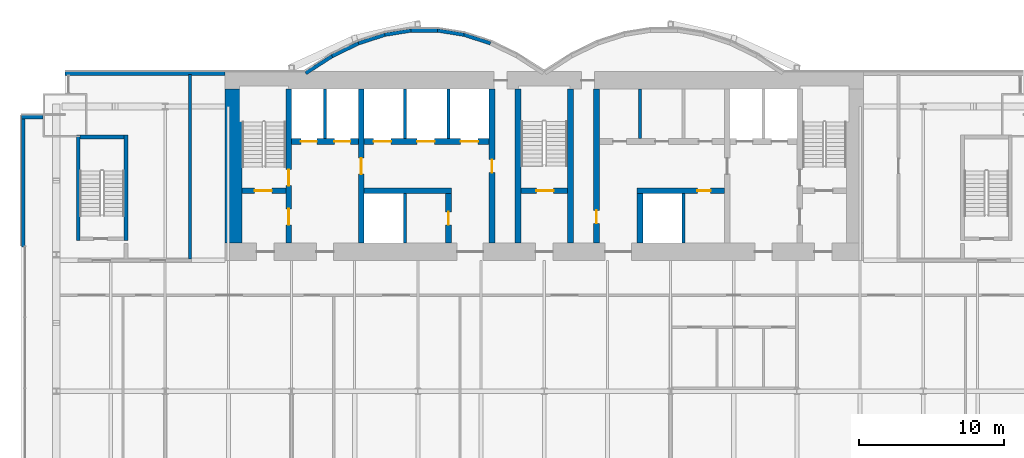
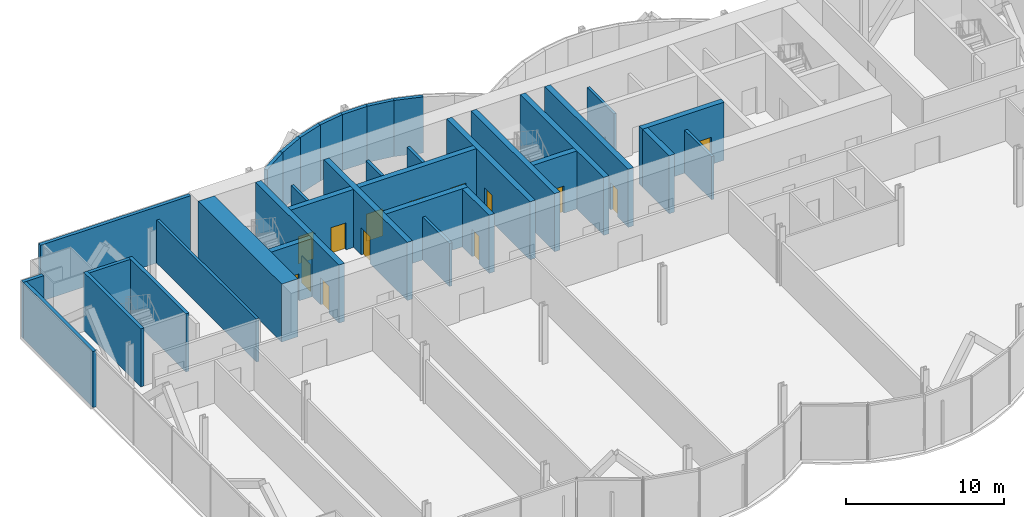
# One storey, part 16 of 21: 34 walls, 14 doors, 14 openings.
"""IFC4 building model written with IfcOpenShell, lengths in metres."""

import ifcopenshell
import ifcopenshell.guid

model = None  # the IFC model being written
_history = None  # IfcOwnerHistory: only IFC2X3 demands one
_inside = {}  # id of a spatial element -> (the spatial element, [elements in it])
_under = {}  # id of a project, library or spatial element -> (it, [spatial elements below it])
_declared = {}  # id of a project -> (the project, [libraries it declares])
_typed = {}  # id of a type object -> (the type object, [elements of that type])
_made_of = {}  # id of a material, layer set ... -> (it, [elements and type objects made of it])


def new_model(schema):
    """Start an empty IFC model of exactly this schema.

    Asked for "IFC4X3", IfcOpenShell would pick the latest addendum, in which some entities
    have other attributes; the version numbers below select the first issue.
    IFC2X3 requires an IfcOwnerHistory on every rooted entity: one is made here for all.
    """
    global model, _history
    if schema == "IFC4X3":
        model = ifcopenshell.file(schema_version=(4, 3, 0, 0))
    else:
        model = ifcopenshell.file(schema=schema)
    _inside.clear()
    _under.clear()
    _declared.clear()
    _typed.clear()
    _made_of.clear()
    _history = None
    if model.schema == "IFC2X3":
        org = make("IfcOrganization", Name="unknown")
        user = make(
            "IfcPersonAndOrganization",
            ThePerson=make("IfcPerson", FamilyName="unknown"),
            TheOrganization=org,
        )
        app = make(
            "IfcApplication",
            ApplicationDeveloper=org,
            Version="unknown",
            ApplicationFullName="unknown",
            ApplicationIdentifier="unknown",
        )
        _history = make(
            "IfcOwnerHistory",
            OwningUser=user,
            OwningApplication=app,
            ChangeAction="ADDED",
            CreationDate=0,
        )
    return model


def make(cls, **values):
    """One entity of the class cls with the attributes given. An attribute that is None is left unset."""
    return model.create_entity(
        cls, **{name: value for name, value in values.items() if value is not None}
    )


def rooted(cls, **values):
    """An entity with a GlobalId (a new one), such as an element, a storey or a relation."""
    return make(cls, GlobalId=ifcopenshell.guid.new(), OwnerHistory=_history, **values)


def si_unit(unit_type, name, prefix=None):
    """IfcSIUnit, for example si_unit("LENGTHUNIT", "METRE", prefix="MILLI")."""
    return make("IfcSIUnit", UnitType=unit_type, Prefix=prefix, Name=name)


def assignment(units):
    """IfcUnitAssignment: the units of a project."""
    return None if units is None else make("IfcUnitAssignment", Units=units)


def point(xyz):
    """IfcCartesianPoint."""
    return None if xyz is None else make("IfcCartesianPoint", Coordinates=xyz)


def direction(xyz):
    """IfcDirection."""
    return None if xyz is None else make("IfcDirection", DirectionRatios=xyz)


def frame(location, z_axis=None, x_axis=None):
    """IfcAxis2Placement3D, a coordinate frame: its origin and axes. An axis left out is left unset."""
    return make(
        "IfcAxis2Placement3D",
        Location=point(location),
        Axis=direction(z_axis),
        RefDirection=direction(x_axis),
    )


def frame_2d(location, x_axis=None):
    """IfcAxis2Placement2D, a coordinate frame in the plane: its origin and x axis."""
    return make(
        "IfcAxis2Placement2D", Location=point(location), RefDirection=direction(x_axis)
    )


def origin():
    """The frame at (0, 0, 0) with its axes left unset."""
    return frame((0.0, 0.0, 0.0))


def place(relative_to, where):
    """IfcLocalPlacement: puts the frame where relative to a parent placement (None: the world)."""
    return make(
        "IfcLocalPlacement", PlacementRelTo=relative_to, RelativePlacement=where
    )


def context(
    kind, dimensions, precision=None, world=None, true_north=None, identifier=None
):
    """IfcGeometricRepresentationContext, for example the 3D "Model" context."""
    return make(
        "IfcGeometricRepresentationContext",
        ContextIdentifier=identifier,
        ContextType=kind,
        CoordinateSpaceDimension=dimensions,
        Precision=precision,
        WorldCoordinateSystem=world,
        TrueNorth=true_north,
    )


def subcontext(parent, identifier, kind, view, scale=None):
    """IfcGeometricRepresentationSubContext, for example "Body" below "Model"."""
    return make(
        "IfcGeometricRepresentationSubContext",
        ContextIdentifier=identifier,
        ContextType=kind,
        ParentContext=parent,
        TargetScale=scale,
        TargetView=view,
    )


def project(units=None, contexts=None):
    """IfcProject with its units and contexts."""
    return rooted(
        "IfcProject",
        Name="project",
        RepresentationContexts=contexts,
        UnitsInContext=assignment(units),
    )


def spatial(cls, under=None, at=None, **own):
    """A site, building, storey or space (cls), placed at a placement, below another one or the project."""
    s = rooted(cls, ObjectPlacement=at, **own)
    if under is not None:
        _under.setdefault(under.id(), (under, []))[1].append(s)
    return s


def profile(cls, at=None, kind="AREA", **sizes):
    """A parametric profile (cls). Its sizes go by their IFC names, for example OverallWidth=200.0."""
    return make(cls, ProfileType=kind, Position=at, **sizes)


def rectangle(**sizes):
    """IfcRectangleProfileDef."""
    return profile("IfcRectangleProfileDef", **sizes)


def extrude(swept, where, along, depth):
    """IfcExtrudedAreaSolid: the profile swept, set in the frame where, extruded along a direction by depth."""
    return make(
        "IfcExtrudedAreaSolid",
        SweptArea=swept,
        Position=where,
        ExtrudedDirection=direction(along),
        Depth=depth,
    )


def shape(context_of_items, identifier, shape_type, items):
    """IfcShapeRepresentation: the items that make up one representation, for example the "Body"."""
    return make(
        "IfcShapeRepresentation",
        ContextOfItems=context_of_items,
        RepresentationIdentifier=identifier,
        RepresentationType=shape_type,
        Items=items,
    )


def material(Name=None, Category=None):
    """IfcMaterial."""
    return make("IfcMaterial", Name=Name, Category=Category)


def layer(
    of_material, thickness, ventilated=None, Name=None, Category=None, Priority=None
):
    """IfcMaterialLayer: one layer of a wall or slab, of a material (None: an air gap)."""
    return make(
        "IfcMaterialLayer",
        Material=of_material,
        LayerThickness=thickness,
        IsVentilated=ventilated,
        Name=Name,
        Category=Category,
        Priority=Priority,
    )


def layer_set(layers, Name=None):
    """IfcMaterialLayerSet."""
    return make("IfcMaterialLayerSet", MaterialLayers=layers, LayerSetName=Name)


def layer_usage(for_layer_set, set_direction, sense, offset, extent=None):
    """IfcMaterialLayerSetUsage: how a layer set lies in its element."""
    return make(
        "IfcMaterialLayerSetUsage",
        ForLayerSet=for_layer_set,
        LayerSetDirection=set_direction,
        DirectionSense=sense,
        OffsetFromReferenceLine=offset,
        ReferenceExtent=extent,
    )


def made_of(thing, what):
    """Note that an element or type object is made of a material, layer set ...; save() writes the relation."""
    if what is not None:
        _made_of.setdefault(what.id(), (what, []))[1].append(thing)
    return thing


def type_object(cls, material=None, **own):
    """A type object (cls), such as IfcWallType, which elements share."""
    return made_of(rooted(cls, **own), material)


def element(
    cls,
    number,
    at=None,
    inside=None,
    cuts=None,
    type_object=None,
    material=None,
    context=None,
    identifier="Body",
    shape_type=None,
    held_by="IfcProductDefinitionShape",
    body=None,
    shapes=None,
    **own,
):
    """One element of the class cls, such as IfcWall. Its Tag is "e" and its number.

    at: its placement. inside: the storey or other place that contains it. cuts: it is an
    opening in that element (IfcRelVoidsElement). A single representation is given by context,
    identifier, shape_type and body (its items); several are given by shapes. held_by: the class
    of the entity that holds the representations. save() writes the other relations.
    """
    e = rooted(cls, Tag="e%d" % number, ObjectPlacement=at, **own)
    if body is not None:
        shapes = [shape(context, identifier, shape_type, body)]
    if shapes is not None:
        e.Representation = make(held_by, Representations=shapes)
    if inside is not None:
        _inside.setdefault(inside.id(), (inside, []))[1].append(e)
    if cuts is not None:
        rooted(
            "IfcRelVoidsElement", RelatingBuildingElement=cuts, RelatedOpeningElement=e
        )
    if type_object is not None:
        _typed.setdefault(type_object.id(), (type_object, []))[1].append(e)
    return made_of(e, material)


def fill(opening, filler):
    """IfcRelFillsElement: the door or window that sits in an opening."""
    return rooted(
        "IfcRelFillsElement",
        RelatingOpeningElement=opening,
        RelatedBuildingElement=filler,
    )


def aggregate(whole, parts):
    """IfcRelAggregates: a whole, such as a stair, and the parts it consists of."""
    return rooted("IfcRelAggregates", RelatingObject=whole, RelatedObjects=parts)


def save(model, path):
    """Write the relations noted so far, then the file.

    IfcRelAggregates (storeys below a building ...), IfcRelContainedInSpatialStructure (elements
    in a storey), IfcRelDefinesByType, IfcRelAssociatesMaterial and IfcRelDeclares: one each for
    every whole, place, type object, material and project.
    """
    for whole, parts in _under.values():
        aggregate(whole, parts)
    for where, things in _inside.values():
        rooted(
            "IfcRelContainedInSpatialStructure",
            RelatedElements=things,
            RelatingStructure=where,
        )
    for kind, things in _typed.values():
        rooted("IfcRelDefinesByType", RelatedObjects=things, RelatingType=kind)
    for what, things in _made_of.values():
        rooted("IfcRelAssociatesMaterial", RelatedObjects=things, RelatingMaterial=what)
    for by, libraries in _declared.values():
        rooted("IfcRelDeclares", RelatingContext=by, RelatedDefinitions=libraries)
    model.write(path)


model = new_model("IFC4")

# Units and contexts
model_context = context("Model", 3, precision=1e-05, world=origin(), true_north=direction((0.0, 1.0)))
body_context = subcontext(model_context, "Body", "Model", "MODEL_VIEW")
ifc_project = project(units=[si_unit("LENGTHUNIT", "METRE"), si_unit("AREAUNIT", "SQUARE_METRE"), si_unit("VOLUMEUNIT", "CUBIC_METRE"), si_unit("PLANEANGLEUNIT", "RADIAN"), si_unit("MASSUNIT", "GRAM", prefix="KILO")], contexts=[model_context])

# Site, building, storey
site_placement = place(None, origin())
site = spatial("IfcSite", under=ifc_project, at=site_placement, CompositionType="ELEMENT")
building_placement = place(site_placement, origin())
building = spatial("IfcBuilding", under=site, at=building_placement, Name="Bicima Exchange Tower", CompositionType="ELEMENT")
storey_placement = place(building_placement, frame((0.0, 0.0, 75.5)))
storey = spatial("IfcBuildingStorey", under=building, at=storey_placement, Name="L15", CompositionType="ELEMENT", Elevation=75.5)

# Walls
ifc_material_1 = material(Name="Gypsum board partition")
ifc_layer_1 = layer(ifc_material_1, 0.199951171875)
ifc_layer_set_1 = layer_set([ifc_layer_1], Name="Gypsum board partition")
wall_type_1 = type_object("IfcWallType", Name="Fire-rated gypsum partition 200 EI120", PredefinedType="PARTITIONING", material=ifc_layer_set_1)
for number, where, z_axis, x_axis, name in (
    (1, (-15.10009765625, -4.60009765625, 0.0), (0.0, 0.0, 1.0), (0.0, 1.0, 0.0), "partition wall 9"),
    (2, (-9.60009765625, -11.800048828125, 0.0), (0.0, 0.0, 1.0), (0.0, 1.0, 0.0), "partition wall 11"),
    (3, (-9.60009765625, -4.60009765625, 0.0), (0.0, 0.0, 1.0), (0.0, 1.0, 0.0), "partition wall 12"),
    (4, (-6.60009765625, -4.60009765625, 0.0), (0.0, 0.0, 1.0), (0.0, 1.0, 0.0), "partition wall 14"),
    (5, (9.60009765625, -11.800048828125, 0.0), (0.0, 0.0, 1.0), (0.0, 1.0, 0.0), "partition wall 21"),
):
    element("IfcWall", number, at=place(storey_placement, frame(where, z_axis=z_axis, x_axis=x_axis)), inside=storey, type_object=wall_type_1, Name=name, PredefinedType="PARTITIONING", context=body_context, shape_type="SweptSolid", body=[
        extrude(rectangle(XDim=3.400146484375, YDim=0.199951171875, at=frame_2d((1.7001953125, 0.0))), origin(), (0.0, 0.0, 1.0), 3.33935546875),
    ])
ifc_layer_2 = layer(ifc_material_1, 0.199951171875)
ifc_layer_set_2 = layer_set([ifc_layer_2], Name="Gypsum board partition")
wall_type_2 = type_object("IfcWallType", Name="Fire-rated gypsum partition 200 EI60", PredefinedType="PARTITIONING", material=ifc_layer_set_2)
wall_1_placement = place(storey_placement, frame((-24.39990234375, -12.89990234375, 0.0), z_axis=(0.0, 0.0, 1.0), x_axis=(0.0, 1.0, 0.0)))
element("IfcWall", 6, at=wall_1_placement, inside=storey, type_object=wall_type_2, Name="partition wall 16", PredefinedType="PARTITIONING", context=body_context, shape_type="SweptSolid", body=[
    extrude(rectangle(XDim=12.68994140625, YDim=0.199951171875, at=frame_2d((6.344970703125, 0.0))), origin(), (0.0, 0.0, 1.0), 3.33935546875),
])
wall_2_placement = place(storey_placement, frame((6.60009765625, -4.60009765625, 0.0), z_axis=(0.0, 0.0, 1.0), x_axis=(0.0, 1.0, 0.0)))
element("IfcWall", 7, at=wall_2_placement, inside=storey, type_object=wall_type_2, Name="partition wall 20", PredefinedType="PARTITIONING", context=body_context, shape_type="SweptSolid", body=[
    extrude(rectangle(XDim=3.400146484375, YDim=0.199951171875, at=frame_2d((1.7001953125, 0.0))), origin(), (0.0, 0.0, 1.0), 3.33935546875),
])
ifc_material_2 = material(Name="Concrete C60/75", Category="concrete")
ifc_layer_3 = layer(ifc_material_2, 1.199951171875)
ifc_layer_set_3 = layer_set([ifc_layer_3], Name="Concrete C60/75")
wall_type_3 = type_object("IfcWallType", Name="RC core wall 1200 C60/75", PredefinedType="SHEAR", material=ifc_layer_set_3)
wall_3_placement = place(storey_placement, frame((-21.39990234375, -11.800048828125, 0.0), z_axis=(0.0, 0.0, 1.0), x_axis=(0.0, 1.0, 0.0)))
element("IfcWall", 8, at=wall_3_placement, inside=storey, type_object=wall_type_3, Name="Core wall west", PredefinedType="SHEAR", context=body_context, shape_type="SweptSolid", body=[
    extrude(rectangle(XDim=10.60009765625, YDim=1.199951171875, at=frame_2d((5.300048828125, 0.0))), origin(), (0.0, 0.0, 1.0), 4.5),
])

# Wall, opening, door
ifc_material_3 = material(Name="Concrete C50/60", Category="concrete")
ifc_layer_4 = layer(ifc_material_3, 0.39990234375)
ifc_layer_set_4 = layer_set([ifc_layer_4], Name="Concrete C50/60")
wall_type_4 = type_object("IfcWallType", Name="RC core wall 400 C50/60", PredefinedType="SHEAR", material=ifc_layer_set_4)
wall_4_placement = place(storey_placement, frame((-20.800048828125, -8.199951171875, 0.0), z_axis=(0.0, 0.0, 1.0), x_axis=(1.0, 0.0, 0.0)))
wall_4 = element("IfcWall", 9, at=wall_4_placement, inside=storey, type_object=wall_type_4, Name="stair wall 1", PredefinedType="SHEAR", context=body_context, shape_type="SweptSolid", body=[
    extrude(rectangle(XDim=3.0, YDim=0.39990234375, at=frame_2d((1.5, 0.0))), origin(), (0.0, 0.0, 1.0), 4.5),
])
opening_1_placement = place(wall_4_placement, frame((0.85009765625, 0.0, 0.0)))
opening_1 = element("IfcOpeningElement", 10, at=opening_1_placement, cuts=wall_4, Name="Opening L15-C01", PredefinedType="OPENING", context=body_context, shape_type="SweptSolid", body=[
    extrude(rectangle(XDim=1.199951171875, YDim=2.10009765625, at=frame_2d((0.60009765625, 1.050048828125))), frame((0.0, 0.2119140625, 0.0), z_axis=(0.0, -1.0, 0.0), x_axis=(1.0, 0.0, 0.0)), (0.0, 0.0, 1.0), 0.423828125),
])
ifc_material_4 = material(Name="Steel fire door leaf", Category="steel")
door_type_1 = type_object("IfcDoorType", Name="Door 1200 swing FD60S", OperationType="SINGLE_SWING_LEFT", PredefinedType="DOOR", material=ifc_material_4)
door_1_placement = place(opening_1_placement, origin())
door_1 = element("IfcDoor", 11, at=door_1_placement, inside=storey, type_object=door_type_1, Name="Core door", OperationType="SINGLE_SWING_LEFT", OverallHeight=2.10009765625, OverallWidth=1.199951171875, PredefinedType="DOOR", context=body_context, shape_type="SweptSolid", body=[
    extrude(rectangle(XDim=1.199951171875, YDim=2.10009765625, at=frame_2d((0.60009765625, 1.050048828125))), frame((0.0, 0.02490234375, 0.0), z_axis=(0.0, -1.0, 0.0), x_axis=(1.0, 0.0, 0.0)), (0.0, 0.0, 1.0), 0.050048828125),
])
fill(opening_1, door_1)

wall_5_placement = place(storey_placement, frame((-1.60009765625, -8.199951171875, 0.0), z_axis=(0.0, 0.0, 1.0), x_axis=(1.0, 0.0, 0.0)))
wall_5 = element("IfcWall", 12, at=wall_5_placement, inside=storey, type_object=wall_type_4, Name="stair wall 3", PredefinedType="SHEAR", context=body_context, shape_type="SweptSolid", body=[
    extrude(rectangle(XDim=3.2001953125, YDim=0.39990234375, at=frame_2d((1.60009765625, 0.0))), origin(), (0.0, 0.0, 1.0), 4.5),
])
opening_2_placement = place(wall_5_placement, frame((1.050048828125, 0.0, 0.0)))
opening_2 = element("IfcOpeningElement", 13, at=opening_2_placement, cuts=wall_5, Name="Opening L15-C03", PredefinedType="OPENING", context=body_context, shape_type="SweptSolid", body=[
    extrude(rectangle(XDim=1.199951171875, YDim=2.10009765625, at=frame_2d((0.60009765625, 1.050048828125))), frame((0.0, 0.2119140625, 0.0), z_axis=(0.0, -1.0, 0.0), x_axis=(1.0, 0.0, 0.0)), (0.0, 0.0, 1.0), 0.423828125),
])
door_2_placement = place(opening_2_placement, origin())
door_2 = element("IfcDoor", 14, at=door_2_placement, inside=storey, type_object=door_type_1, Name="Core door", OperationType="SINGLE_SWING_LEFT", OverallHeight=2.10009765625, OverallWidth=1.199951171875, PredefinedType="DOOR", context=body_context, shape_type="SweptSolid", body=[
    extrude(rectangle(XDim=1.199951171875, YDim=2.10009765625, at=frame_2d((0.60009765625, 1.050048828125))), frame((0.0, 0.02490234375, 0.0), z_axis=(0.0, -1.0, 0.0), x_axis=(1.0, 0.0, 0.0)), (0.0, 0.0, 1.0), 0.050048828125),
])
fill(opening_2, door_2)

# Wall, openings, doors
wall_6_placement = place(storey_placement, frame((-17.60009765625, -11.800048828125, 0.0), z_axis=(0.0, 0.0, 1.0), x_axis=(0.0, 1.0, 0.0)))
wall_6 = element("IfcWall", 15, at=wall_6_placement, inside=storey, type_object=wall_type_4, Name="stair wall 8", PredefinedType="SHEAR", context=body_context, shape_type="SweptSolid", body=[
    extrude(rectangle(XDim=10.60009765625, YDim=0.39990234375, at=frame_2d((5.300048828125, 0.0))), origin(), (0.0, 0.0, 1.0), 4.5),
])
opening_3_placement = place(wall_6_placement, frame((1.25, 0.0, 0.0)))
opening_3 = element("IfcOpeningElement", 16, at=opening_3_placement, cuts=wall_6, Name="Opening L15-C02", PredefinedType="OPENING", context=body_context, shape_type="SweptSolid", body=[
    extrude(rectangle(XDim=1.10009765625, YDim=2.10009765625, at=frame_2d((0.550048828125, 1.050048828125))), frame((0.0, 0.2119140625, 0.0), z_axis=(0.0, -1.0, 0.0), x_axis=(1.0, 0.0, 0.0)), (0.0, 0.0, 1.0), 0.423828125),
])
opening_4_placement = place(wall_6_placement, frame((3.949951171875, 0.0, 0.0)))
opening_4 = element("IfcOpeningElement", 17, at=opening_4_placement, cuts=wall_6, Name="Opening L15-C06", PredefinedType="OPENING", context=body_context, shape_type="SweptSolid", body=[
    extrude(rectangle(XDim=1.10009765625, YDim=2.10009765625, at=frame_2d((0.550048828125, 1.050048828125))), frame((0.0, 0.2119140625, 0.0), z_axis=(0.0, -1.0, 0.0), x_axis=(1.0, 0.0, 0.0)), (0.0, 0.0, 1.0), 0.423828125),
])
door_type_2 = type_object("IfcDoorType", Name="Door 1100 swing FD60S", OperationType="SINGLE_SWING_LEFT", PredefinedType="DOOR", material=ifc_material_4)
door_3_placement = place(opening_3_placement, frame((1.10009765625, 0.0, 0.0), z_axis=(0.0, 0.0, 1.0), x_axis=(-1.0, 0.0, 0.0)))
door_3 = element("IfcDoor", 18, at=door_3_placement, inside=storey, type_object=door_type_2, Name="Core door", OperationType="SINGLE_SWING_LEFT", OverallHeight=2.10009765625, OverallWidth=1.10009765625, PredefinedType="DOOR", context=body_context, shape_type="SweptSolid", body=[
    extrude(rectangle(XDim=1.10009765625, YDim=2.10009765625, at=frame_2d((0.550048828125, 1.050048828125))), frame((0.0, 0.02490234375, 0.0), z_axis=(0.0, -1.0, 0.0), x_axis=(1.0, 0.0, 0.0)), (0.0, 0.0, 1.0), 0.050048828125),
])
fill(opening_3, door_3)
door_4_placement = place(opening_4_placement, frame((1.10009765625, 0.0, 0.0), z_axis=(0.0, 0.0, 1.0), x_axis=(-1.0, 0.0, 0.0)))
door_4 = element("IfcDoor", 19, at=door_4_placement, inside=storey, type_object=door_type_2, Name="Core door", OperationType="SINGLE_SWING_LEFT", OverallHeight=2.10009765625, OverallWidth=1.10009765625, PredefinedType="DOOR", context=body_context, shape_type="SweptSolid", body=[
    extrude(rectangle(XDim=1.10009765625, YDim=2.10009765625, at=frame_2d((0.550048828125, 1.050048828125))), frame((0.0, 0.02490234375, 0.0), z_axis=(0.0, -1.0, 0.0), x_axis=(1.0, 0.0, 0.0)), (0.0, 0.0, 1.0), 0.050048828125),
])
fill(opening_4, door_4)

# Walls
for number, where, z_axis, x_axis, name in (
    (20, (-1.800048828125, -11.800048828125, 0.0), (0.0, 0.0, 1.0), (0.0, 1.0, 0.0), "stair wall 16"),
    (21, (1.800048828125, -11.800048828125, 0.0), (0.0, 0.0, 1.0), (0.0, 1.0, 0.0), "stair wall 17"),
):
    element("IfcWall", number, at=place(storey_placement, frame(where, z_axis=z_axis, x_axis=x_axis)), inside=storey, type_object=wall_type_4, Name=name, PredefinedType="SHEAR", context=body_context, shape_type="SweptSolid", body=[
        extrude(rectangle(XDim=10.60009765625, YDim=0.39990234375, at=frame_2d((5.300048828125, 0.0))), origin(), (0.0, 0.0, 1.0), 4.5),
    ])
ifc_layer_5 = layer(ifc_material_2, 0.39990234375)
ifc_layer_set_5 = layer_set([ifc_layer_5], Name="Concrete C60/75")
wall_type_5 = type_object("IfcWallType", Name="RC core wall 400 C60/75", PredefinedType="SHEAR", material=ifc_layer_set_5)
wall_7_placement = place(storey_placement, frame((-12.39990234375, -8.199951171875, 0.0), z_axis=(0.0, 0.0, 1.0), x_axis=(1.0, 0.0, 0.0)))
element("IfcWall", 22, at=wall_7_placement, inside=storey, type_object=wall_type_5, Name="shear wall 2", PredefinedType="SHEAR", context=body_context, shape_type="SweptSolid", body=[
    extrude(rectangle(XDim=6.0, YDim=0.39990234375, at=frame_2d((3.0, 0.0))), origin(), (0.0, 0.0, 1.0), 4.5),
])

# Wall, opening, door
wall_8_placement = place(storey_placement, frame((6.39990234375, -8.199951171875, 0.0), z_axis=(0.0, 0.0, 1.0), x_axis=(1.0, 0.0, 0.0)))
wall_8 = element("IfcWall", 23, at=wall_8_placement, inside=storey, type_object=wall_type_5, Name="shear wall 4", PredefinedType="SHEAR", context=body_context, shape_type="SweptSolid", body=[
    extrude(rectangle(XDim=6.0, YDim=0.39990234375, at=frame_2d((3.0, 0.0))), origin(), (0.0, 0.0, 1.0), 4.5),
])
opening_5_placement = place(wall_8_placement, frame((4.14990234375, 0.0, 0.0)))
opening_5 = element("IfcOpeningElement", 24, at=opening_5_placement, cuts=wall_8, Name="Opening L15-C16", PredefinedType="OPENING", context=body_context, shape_type="SweptSolid", body=[
    extrude(rectangle(XDim=0.89990234375, YDim=2.10009765625, at=frame_2d((0.449951171875, 1.050048828125))), frame((0.0, 0.2119140625, 0.0), z_axis=(0.0, -1.0, 0.0), x_axis=(1.0, 0.0, 0.0)), (0.0, 0.0, 1.0), 0.423828125),
])
door_type_3 = type_object("IfcDoorType", Name="Door 900 swing FD30S", OperationType="SINGLE_SWING_LEFT", PredefinedType="DOOR", material=ifc_material_4)
door_5_placement = place(opening_5_placement, frame((0.89990234375, 0.0, 0.0), z_axis=(0.0, 0.0, 1.0), x_axis=(-1.0, 0.0, 0.0)))
door_5 = element("IfcDoor", 25, at=door_5_placement, inside=storey, type_object=door_type_3, Name="Core door", OperationType="SINGLE_SWING_LEFT", OverallHeight=2.10009765625, OverallWidth=0.89990234375, PredefinedType="DOOR", context=body_context, shape_type="SweptSolid", body=[
    extrude(rectangle(XDim=0.89990234375, YDim=2.10009765625, at=frame_2d((0.449951171875, 1.050048828125))), frame((0.0, 0.02490234375, 0.0), z_axis=(0.0, -1.0, 0.0), x_axis=(1.0, 0.0, 0.0)), (0.0, 0.0, 1.0), 0.050048828125),
])
fill(opening_5, door_5)

# Wall, openings, doors
wall_9_placement = place(storey_placement, frame((-17.39990234375, -4.800048828125, 0.0), z_axis=(0.0, 0.0, 1.0), x_axis=(1.0, 0.0, 0.0)))
wall_9 = element("IfcWall", 26, at=wall_9_placement, inside=storey, type_object=wall_type_5, Name="shear wall 6", PredefinedType="SHEAR", context=body_context, shape_type="SweptSolid", body=[
    extrude(rectangle(XDim=13.599853515625, YDim=0.39990234375, at=frame_2d((6.7998046875, 0.0))), origin(), (0.0, 0.0, 1.0), 4.5),
])
opening_6_placement = place(wall_9_placement, frame((0.64990234375, 0.0, 0.0)))
opening_6 = element("IfcOpeningElement", 27, at=opening_6_placement, cuts=wall_9, Name="Opening LD-FF1-L15", PredefinedType="OPENING", context=body_context, shape_type="SweptSolid", body=[
    extrude(rectangle(XDim=1.10009765625, YDim=2.10009765625, at=frame_2d((0.550048828125, 1.050048828125))), frame((0.0, 0.2119140625, 0.0), z_axis=(0.0, -1.0, 0.0), x_axis=(1.0, 0.0, 0.0)), (0.0, 0.0, 1.0), 0.423828125),
])
opening_7_placement = place(wall_9_placement, frame((2.949951171875, 0.0, 0.0)))
opening_7 = element("IfcOpeningElement", 28, at=opening_7_placement, cuts=wall_9, Name="Opening LD-FF3-L15", PredefinedType="OPENING", context=body_context, shape_type="SweptSolid", body=[
    extrude(rectangle(XDim=1.10009765625, YDim=2.10009765625, at=frame_2d((0.550048828125, 1.050048828125))), frame((0.0, 0.2119140625, 0.0), z_axis=(0.0, -1.0, 0.0), x_axis=(1.0, 0.0, 0.0)), (0.0, 0.0, 1.0), 0.423828125),
])
opening_8_placement = place(wall_9_placement, frame((5.64990234375, 0.0, 0.0)))
opening_8 = element("IfcOpeningElement", 29, at=opening_8_placement, cuts=wall_9, Name="Opening LD-LB1-L15", PredefinedType="OPENING", context=body_context, shape_type="SweptSolid", body=[
    extrude(rectangle(XDim=1.199951171875, YDim=2.10009765625, at=frame_2d((0.60009765625, 1.050048828125))), frame((0.0, 0.2119140625, 0.0), z_axis=(0.0, -1.0, 0.0), x_axis=(1.0, 0.0, 0.0)), (0.0, 0.0, 1.0), 0.423828125),
])
opening_9_placement = place(wall_9_placement, frame((8.64990234375, 0.0, 0.0)))
opening_9 = element("IfcOpeningElement", 30, at=opening_9_placement, cuts=wall_9, Name="Opening LD-LB2-L15", PredefinedType="OPENING", context=body_context, shape_type="SweptSolid", body=[
    extrude(rectangle(XDim=1.199951171875, YDim=2.10009765625, at=frame_2d((0.60009765625, 1.050048828125))), frame((0.0, 0.2119140625, 0.0), z_axis=(0.0, -1.0, 0.0), x_axis=(1.0, 0.0, 0.0)), (0.0, 0.0, 1.0), 0.423828125),
])
opening_10_placement = place(wall_9_placement, frame((11.64990234375, 0.0, 0.0)))
opening_10 = element("IfcOpeningElement", 31, at=opening_10_placement, cuts=wall_9, Name="Opening LD-LB3-L15", PredefinedType="OPENING", context=body_context, shape_type="SweptSolid", body=[
    extrude(rectangle(XDim=1.199951171875, YDim=2.10009765625, at=frame_2d((0.60009765625, 1.050048828125))), frame((0.0, 0.2119140625, 0.0), z_axis=(0.0, -1.0, 0.0), x_axis=(1.0, 0.0, 0.0)), (0.0, 0.0, 1.0), 0.423828125),
])
ifc_material_5 = material(Name="Stainless steel", Category="steel")
door_type_4 = type_object("IfcDoorType", Name="Lift landing door 1100 sliding", OperationType="DOUBLE_DOOR_SLIDING", PredefinedType="DOOR", material=ifc_material_5)
door_6_placement = place(opening_6_placement, origin())
door_6 = element("IfcDoor", 32, at=door_6_placement, inside=storey, type_object=door_type_4, Name="Lift landing door FF1", OperationType="DOUBLE_DOOR_SLIDING", OverallHeight=2.10009765625, OverallWidth=1.10009765625, PredefinedType="DOOR", context=body_context, shape_type="SweptSolid", body=[
    extrude(rectangle(XDim=1.10009765625, YDim=2.10009765625, at=frame_2d((0.550048828125, 1.050048828125))), frame((0.0, 0.02490234375, 0.0), z_axis=(0.0, -1.0, 0.0), x_axis=(1.0, 0.0, 0.0)), (0.0, 0.0, 1.0), 0.050048828125),
])
fill(opening_6, door_6)
door_7_placement = place(opening_7_placement, origin())
door_7 = element("IfcDoor", 33, at=door_7_placement, inside=storey, type_object=door_type_4, Name="Lift landing door FF3", OperationType="DOUBLE_DOOR_SLIDING", OverallHeight=2.10009765625, OverallWidth=1.10009765625, PredefinedType="DOOR", context=body_context, shape_type="SweptSolid", body=[
    extrude(rectangle(XDim=1.10009765625, YDim=2.10009765625, at=frame_2d((0.550048828125, 1.050048828125))), frame((0.0, 0.02490234375, 0.0), z_axis=(0.0, -1.0, 0.0), x_axis=(1.0, 0.0, 0.0)), (0.0, 0.0, 1.0), 0.050048828125),
])
fill(opening_7, door_7)
door_type_5 = type_object("IfcDoorType", Name="Lift landing door 1200 sliding", OperationType="DOUBLE_DOOR_SLIDING", PredefinedType="DOOR", material=ifc_material_5)
door_8_placement = place(opening_8_placement, origin())
door_8 = element("IfcDoor", 34, at=door_8_placement, inside=storey, type_object=door_type_5, Name="Lift landing door LB1", OperationType="DOUBLE_DOOR_SLIDING", OverallHeight=2.10009765625, OverallWidth=1.199951171875, PredefinedType="DOOR", context=body_context, shape_type="SweptSolid", body=[
    extrude(rectangle(XDim=1.199951171875, YDim=2.10009765625, at=frame_2d((0.60009765625, 1.050048828125))), frame((0.0, 0.02490234375, 0.0), z_axis=(0.0, -1.0, 0.0), x_axis=(1.0, 0.0, 0.0)), (0.0, 0.0, 1.0), 0.050048828125),
])
fill(opening_8, door_8)
door_9_placement = place(opening_9_placement, origin())
door_9 = element("IfcDoor", 35, at=door_9_placement, inside=storey, type_object=door_type_5, Name="Lift landing door LB2", OperationType="DOUBLE_DOOR_SLIDING", OverallHeight=2.10009765625, OverallWidth=1.199951171875, PredefinedType="DOOR", context=body_context, shape_type="SweptSolid", body=[
    extrude(rectangle(XDim=1.199951171875, YDim=2.10009765625, at=frame_2d((0.60009765625, 1.050048828125))), frame((0.0, 0.02490234375, 0.0), z_axis=(0.0, -1.0, 0.0), x_axis=(1.0, 0.0, 0.0)), (0.0, 0.0, 1.0), 0.050048828125),
])
fill(opening_9, door_9)
door_10_placement = place(opening_10_placement, origin())
door_10 = element("IfcDoor", 36, at=door_10_placement, inside=storey, type_object=door_type_5, Name="Lift landing door LB3", OperationType="DOUBLE_DOOR_SLIDING", OverallHeight=2.10009765625, OverallWidth=1.199951171875, PredefinedType="DOOR", context=body_context, shape_type="SweptSolid", body=[
    extrude(rectangle(XDim=1.199951171875, YDim=2.10009765625, at=frame_2d((0.60009765625, 1.050048828125))), frame((0.0, 0.02490234375, 0.0), z_axis=(0.0, -1.0, 0.0), x_axis=(1.0, 0.0, 0.0)), (0.0, 0.0, 1.0), 0.050048828125),
])
fill(opening_10, door_10)

# Wall, opening, door
wall_10_placement = place(storey_placement, frame((-12.60009765625, -11.800048828125, 0.0), z_axis=(0.0, 0.0, 1.0), x_axis=(0.0, 1.0, 0.0)))
wall_10 = element("IfcWall", 37, at=wall_10_placement, inside=storey, type_object=wall_type_5, Name="shear wall 10", PredefinedType="SHEAR", context=body_context, shape_type="SweptSolid", body=[
    extrude(rectangle(XDim=10.60009765625, YDim=0.39990234375, at=frame_2d((5.300048828125, 0.0))), origin(), (0.0, 0.0, 1.0), 4.5),
])
opening_11_placement = place(wall_10_placement, frame((4.75, 0.0, 0.0)))
opening_11 = element("IfcOpeningElement", 38, at=opening_11_placement, cuts=wall_10, Name="Opening L15-C07", PredefinedType="OPENING", context=body_context, shape_type="SweptSolid", body=[
    extrude(rectangle(XDim=1.10009765625, YDim=2.10009765625, at=frame_2d((0.550048828125, 1.050048828125))), frame((0.0, 0.2119140625, 0.0), z_axis=(0.0, -1.0, 0.0), x_axis=(1.0, 0.0, 0.0)), (0.0, 0.0, 1.0), 0.423828125),
])
door_11_placement = place(opening_11_placement, origin())
door_11 = element("IfcDoor", 39, at=door_11_placement, inside=storey, type_object=door_type_2, Name="Core door", OperationType="SINGLE_SWING_LEFT", OverallHeight=2.10009765625, OverallWidth=1.10009765625, PredefinedType="DOOR", context=body_context, shape_type="SweptSolid", body=[
    extrude(rectangle(XDim=1.10009765625, YDim=2.10009765625, at=frame_2d((0.550048828125, 1.050048828125))), frame((0.0, 0.02490234375, 0.0), z_axis=(0.0, -1.0, 0.0), x_axis=(1.0, 0.0, 0.0)), (0.0, 0.0, 1.0), 0.050048828125),
])
fill(opening_11, door_11)

wall_11_placement = place(storey_placement, frame((-6.60009765625, -11.800048828125, 0.0), z_axis=(0.0, 0.0, 1.0), x_axis=(0.0, 1.0, 0.0)))
wall_11 = element("IfcWall", 40, at=wall_11_placement, inside=storey, type_object=wall_type_5, Name="shear wall 13", PredefinedType="SHEAR", context=body_context, shape_type="SweptSolid", body=[
    extrude(rectangle(XDim=3.400146484375, YDim=0.39990234375, at=frame_2d((1.7001953125, 0.0))), origin(), (0.0, 0.0, 1.0), 4.5),
])
opening_12_placement = place(wall_11_placement, frame((1.25, 0.0, 0.0)))
opening_12 = element("IfcOpeningElement", 41, at=opening_12_placement, cuts=wall_11, Name="Opening L15-C15", PredefinedType="OPENING", context=body_context, shape_type="SweptSolid", body=[
    extrude(rectangle(XDim=0.89990234375, YDim=2.10009765625, at=frame_2d((0.449951171875, 1.050048828125))), frame((0.0, 0.2119140625, 0.0), z_axis=(0.0, -1.0, 0.0), x_axis=(1.0, 0.0, 0.0)), (0.0, 0.0, 1.0), 0.423828125),
])
door_12_placement = place(opening_12_placement, origin())
door_12 = element("IfcDoor", 42, at=door_12_placement, inside=storey, type_object=door_type_3, Name="Core door", OperationType="SINGLE_SWING_LEFT", OverallHeight=2.10009765625, OverallWidth=0.89990234375, PredefinedType="DOOR", context=body_context, shape_type="SweptSolid", body=[
    extrude(rectangle(XDim=0.89990234375, YDim=2.10009765625, at=frame_2d((0.449951171875, 1.050048828125))), frame((0.0, 0.02490234375, 0.0), z_axis=(0.0, -1.0, 0.0), x_axis=(1.0, 0.0, 0.0)), (0.0, 0.0, 1.0), 0.050048828125),
])
fill(opening_12, door_12)

wall_12_placement = place(storey_placement, frame((-3.60009765625, -11.800048828125, 0.0), z_axis=(0.0, 0.0, 1.0), x_axis=(0.0, 1.0, 0.0)))
wall_12 = element("IfcWall", 43, at=wall_12_placement, inside=storey, type_object=wall_type_5, Name="shear wall 15", PredefinedType="SHEAR", context=body_context, shape_type="SweptSolid", body=[
    extrude(rectangle(XDim=10.60009765625, YDim=0.39990234375, at=frame_2d((5.300048828125, 0.0))), origin(), (0.0, 0.0, 1.0), 4.5),
])
opening_13_placement = place(wall_12_placement, frame((4.85009765625, 0.0, 0.0)))
opening_13 = element("IfcOpeningElement", 44, at=opening_13_placement, cuts=wall_12, Name="Opening L15-C10", PredefinedType="OPENING", context=body_context, shape_type="SweptSolid", body=[
    extrude(rectangle(XDim=0.89990234375, YDim=2.10009765625, at=frame_2d((0.449951171875, 1.050048828125))), frame((0.0, 0.2119140625, 0.0), z_axis=(0.0, -1.0, 0.0), x_axis=(1.0, 0.0, 0.0)), (0.0, 0.0, 1.0), 0.423828125),
])
door_13_placement = place(opening_13_placement, frame((0.89990234375, 0.0, 0.0), z_axis=(0.0, 0.0, 1.0), x_axis=(-1.0, 0.0, 0.0)))
door_13 = element("IfcDoor", 45, at=door_13_placement, inside=storey, type_object=door_type_3, Name="Core door", OperationType="SINGLE_SWING_LEFT", OverallHeight=2.10009765625, OverallWidth=0.89990234375, PredefinedType="DOOR", context=body_context, shape_type="SweptSolid", body=[
    extrude(rectangle(XDim=0.89990234375, YDim=2.10009765625, at=frame_2d((0.449951171875, 1.050048828125))), frame((0.0, 0.02490234375, 0.0), z_axis=(0.0, -1.0, 0.0), x_axis=(1.0, 0.0, 0.0)), (0.0, 0.0, 1.0), 0.050048828125),
])
fill(opening_13, door_13)

wall_13_placement = place(storey_placement, frame((3.60009765625, -11.800048828125, 0.0), z_axis=(0.0, 0.0, 1.0), x_axis=(0.0, 1.0, 0.0)))
wall_13 = element("IfcWall", 46, at=wall_13_placement, inside=storey, type_object=wall_type_5, Name="shear wall 18", PredefinedType="SHEAR", context=body_context, shape_type="SweptSolid", body=[
    extrude(rectangle(XDim=10.60009765625, YDim=0.39990234375, at=frame_2d((5.300048828125, 0.0))), origin(), (0.0, 0.0, 1.0), 4.5),
])
opening_14_placement = place(wall_13_placement, frame((1.35009765625, 0.0, 0.0)))
opening_14 = element("IfcOpeningElement", 47, at=opening_14_placement, cuts=wall_13, Name="Opening L15-C11", PredefinedType="OPENING", context=body_context, shape_type="SweptSolid", body=[
    extrude(rectangle(XDim=0.89990234375, YDim=2.10009765625, at=frame_2d((0.449951171875, 1.050048828125))), frame((0.0, 0.2119140625, 0.0), z_axis=(0.0, -1.0, 0.0), x_axis=(1.0, 0.0, 0.0)), (0.0, 0.0, 1.0), 0.423828125),
])
door_14_placement = place(opening_14_placement, origin())
door_14 = element("IfcDoor", 48, at=door_14_placement, inside=storey, type_object=door_type_3, Name="Core door", OperationType="SINGLE_SWING_LEFT", OverallHeight=2.10009765625, OverallWidth=0.89990234375, PredefinedType="DOOR", context=body_context, shape_type="SweptSolid", body=[
    extrude(rectangle(XDim=0.89990234375, YDim=2.10009765625, at=frame_2d((0.449951171875, 1.050048828125))), frame((0.0, 0.02490234375, 0.0), z_axis=(0.0, -1.0, 0.0), x_axis=(1.0, 0.0, 0.0)), (0.0, 0.0, 1.0), 0.050048828125),
])
fill(opening_14, door_14)

# Walls
wall_14_placement = place(storey_placement, frame((6.60009765625, -11.800048828125, 0.0), z_axis=(0.0, 0.0, 1.0), x_axis=(0.0, 1.0, 0.0)))
element("IfcWall", 49, at=wall_14_placement, inside=storey, type_object=wall_type_5, Name="shear wall 19", PredefinedType="SHEAR", context=body_context, shape_type="SweptSolid", body=[
    extrude(rectangle(XDim=3.400146484375, YDim=0.39990234375, at=frame_2d((1.7001953125, 0.0))), origin(), (0.0, 0.0, 1.0), 4.5),
])
ifc_layer_6 = layer(ifc_material_3, 0.25)
ifc_layer_set_6 = layer_set([ifc_layer_6], Name="Concrete C50/60")
wall_type_6 = type_object("IfcWallType", Name="RC stair enclosure wall 250 C50/60", PredefinedType="SHEAR", material=ifc_layer_set_6)
for number, where, z_axis, x_axis, name in (
    (50, (-32.10009765625, -11.625, 0.0), (0.0, 0.0, 1.0), (0.0, 1.0, 0.0), "West end exit stair wall W"),
    (51, (-28.800048828125, -11.625, 0.0), (0.0, 0.0, 1.0), (0.0, 1.0, 0.0), "West end exit stair wall E"),
):
    element("IfcWall", number, at=place(storey_placement, frame(where, z_axis=z_axis, x_axis=x_axis)), inside=storey, type_object=wall_type_6, Name=name, PredefinedType="SHEAR", context=body_context, shape_type="SweptSolid", body=[
        extrude(rectangle(XDim=7.25, YDim=0.25, at=frame_2d((3.625, 0.0))), origin(), (0.0, 0.0, 1.0), 4.5),
    ])
wall_15_placement = place(storey_placement, frame((-31.97509765625, -4.5, 0.0), z_axis=(0.0, 0.0, 1.0), x_axis=(1.0, 0.0, 0.0)))
element("IfcWall", 52, at=wall_15_placement, inside=storey, type_object=wall_type_6, Name="West end exit stair wall N", PredefinedType="SHEAR", context=body_context, shape_type="SweptSolid", body=[
    extrude(rectangle(XDim=3.050048828125, YDim=0.25, at=frame_2d((1.52490234375, 0.0))), origin(), (0.0, 0.0, 1.0), 4.5),
])
ifc_material_6 = material(Name="Concrete C40/50", Category="concrete")
ifc_layer_7 = layer(ifc_material_6, 0.25)
ifc_layer_set_7 = layer_set([ifc_layer_7], Name="Concrete C40/50")
ifc_layer_usage = layer_usage(ifc_layer_set_7, "AXIS2", "POSITIVE", -0.125)
wall_type_7 = type_object("IfcWallType", Name="Rear backup wall 250", PredefinedType="STANDARD", material=ifc_layer_set_7)
wall_16_placement = place(storey_placement, frame((-3.705078125, 1.955078125, 0.0), z_axis=(0.0, 0.0, 1.0), x_axis=(-0.951495806175, 0.307661714928, 0.0)))
element("IfcWall", 53, at=wall_16_placement, inside=storey, type_object=wall_type_7, material=ifc_layer_usage, Name="Rear backup wall L15 13", PredefinedType="STANDARD", context=body_context, shape_type="SweptSolid", body=[
    extrude(rectangle(XDim=1.9267578125, YDim=0.25, at=frame_2d((0.96337890625, 0.0))), origin(), (0.0, 0.0, 1.0), 4.35009765625),
])
wall_17_placement = place(storey_placement, frame((-5.52001953125, 2.543212890625, 0.0), z_axis=(0.0, 0.0, 1.0), x_axis=(-0.987181718931, 0.159600293885, 0.0)))
element("IfcWall", 54, at=wall_17_placement, inside=storey, type_object=wall_type_7, material=ifc_layer_usage, Name="Rear backup wall L15 14", PredefinedType="STANDARD", context=body_context, shape_type="SweptSolid", body=[
    extrude(rectangle(XDim=1.857177734375, YDim=0.25, at=frame_2d((0.9287109375, 0.0))), origin(), (0.0, 0.0, 1.0), 4.35009765625),
])
wall_18_placement = place(storey_placement, frame((-7.333251953125, 2.837890625, 0.0), z_axis=(0.0, 0.0, 1.0), x_axis=(-1.0, 0.0, 0.0)))
element("IfcWall", 55, at=wall_18_placement, inside=storey, type_object=wall_type_7, material=ifc_layer_usage, Name="Rear backup wall L15 15", PredefinedType="STANDARD", context=body_context, shape_type="SweptSolid", body=[
    extrude(rectangle(XDim=1.83349609375, YDim=0.25, at=frame_2d((0.916748046875, 0.0))), origin(), (0.0, 0.0, 1.0), 4.35009765625),
])
wall_19_placement = place(storey_placement, frame((-9.146728515625, 2.839599609375, 0.0), z_axis=(0.0, 0.0, 1.0), x_axis=(-0.987181718931, -0.159600293885, 0.0)))
element("IfcWall", 56, at=wall_19_placement, inside=storey, type_object=wall_type_7, material=ifc_layer_usage, Name="Rear backup wall L15 16", PredefinedType="STANDARD", context=body_context, shape_type="SweptSolid", body=[
    extrude(rectangle(XDim=1.857177734375, YDim=0.25, at=frame_2d((0.9287109375, 0.0))), origin(), (0.0, 0.0, 1.0), 4.35009765625),
])
wall_20_placement = place(storey_placement, frame((-10.961669921875, 2.5478515625, 0.0), z_axis=(0.0, 0.0, 1.0), x_axis=(-0.951495806175, -0.307661714928, 0.0)))
element("IfcWall", 57, at=wall_20_placement, inside=storey, type_object=wall_type_7, material=ifc_layer_usage, Name="Rear backup wall L15 17", PredefinedType="STANDARD", context=body_context, shape_type="SweptSolid", body=[
    extrude(rectangle(XDim=1.9267578125, YDim=0.25, at=frame_2d((0.96337890625, 0.0))), origin(), (0.0, 0.0, 1.0), 4.35009765625),
])
wall_21_placement = place(storey_placement, frame((-12.77880859375, 1.961669921875, 0.0), z_axis=(0.0, 0.0, 1.0), x_axis=(-0.89982408427, -0.436252928206, 0.0)))
element("IfcWall", 58, at=wall_21_placement, inside=storey, type_object=wall_type_7, material=ifc_layer_usage, Name="Rear backup wall L15 18", PredefinedType="STANDARD", context=body_context, shape_type="SweptSolid", body=[
    extrude(rectangle(XDim=2.03759765625, YDim=0.25, at=frame_2d((1.018798828125, 0.0))), origin(), (0.0, 0.0, 1.0), 4.35009765625),
])
wall_22_placement = place(storey_placement, frame((-14.598876953125, 1.080078125, 0.0), z_axis=(0.0, 0.0, 1.0), x_axis=(-0.83981312244, -0.542875602121, 0.0)))
element("IfcWall", 59, at=wall_22_placement, inside=storey, type_object=wall_type_7, material=ifc_layer_usage, Name="Rear backup wall L15 19", PredefinedType="STANDARD", context=body_context, shape_type="SweptSolid", body=[
    extrude(rectangle(XDim=2.182861328125, YDim=0.25, at=frame_2d((1.09130859375, 0.0))), origin(), (0.0, 0.0, 1.0), 4.35009765625),
])
wall_23_placement = place(storey_placement, frame((-22.0, -0.125, 0.0), z_axis=(0.0, 0.0, 1.0), x_axis=(-1.0, 0.0, 0.0)))
element("IfcWall", 60, at=wall_23_placement, inside=storey, type_object=wall_type_7, material=ifc_layer_usage, Name="Rear backup wall L15 20", PredefinedType="STANDARD", context=body_context, shape_type="SweptSolid", body=[
    extrude(rectangle(XDim=11.0, YDim=0.25, at=frame_2d((5.5, 0.0))), origin(), (0.0, 0.0, 1.0), 4.35009765625),
])
wall_24_placement = place(storey_placement, frame((-34.5, -3.125, 0.0), z_axis=(0.0, 0.0, 1.0), x_axis=(-1.0, 0.0, 0.0)))
element("IfcWall", 61, at=wall_24_placement, inside=storey, type_object=wall_type_7, material=ifc_layer_usage, Name="Rear backup wall L15 22", PredefinedType="STANDARD", context=body_context, shape_type="SweptSolid", body=[
    extrude(rectangle(XDim=1.5, YDim=0.25, at=frame_2d((0.75, 0.0))), origin(), (0.0, 0.0, 1.0), 4.35009765625),
])
wall_25_placement = place(storey_placement, frame((-35.875, -3.0, 0.0), z_axis=(0.0, 0.0, 1.0), x_axis=(0.0, -1.0, 0.0)))
element("IfcWall", 62, at=wall_25_placement, inside=storey, type_object=wall_type_7, material=ifc_layer_usage, Name="Rear backup wall L15 23", PredefinedType="STANDARD", context=body_context, shape_type="SweptSolid", body=[
    extrude(rectangle(XDim=9.090087890625, YDim=0.25, at=frame_2d((4.544921875, 0.0))), origin(), (0.0, 0.0, 1.0), 4.35009765625),
])

save(model, "model.ifc")
